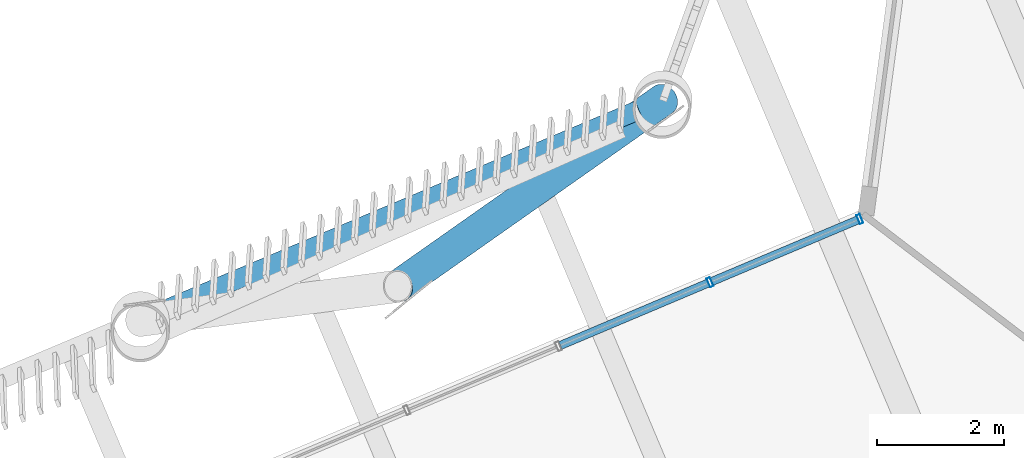
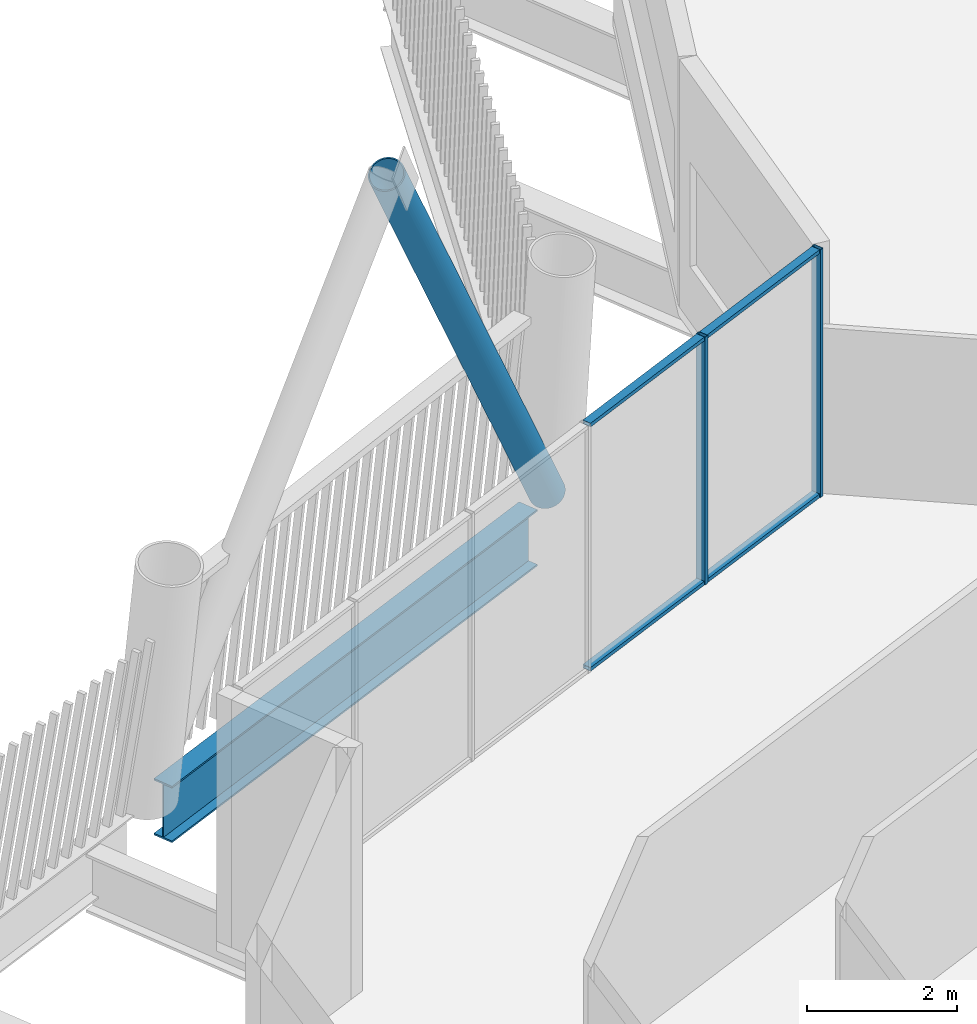
# One storey, part 13 of 35: 7 members, 1 beam, 1 element without a shape of its own.
"""IFC4 building model written with IfcOpenShell, lengths in metres."""

from ifc_helpers import new_model, si_unit, direction, frame, origin, origin_2d, place, context, subcontext, project, spatial, hollow_rectangle, hollow_circle, i_section, extrude, material, layer, layer_set, material_profile, profile_set, type_object, element, aggregate, save


model = new_model("IFC4")

# Units and contexts
model_context = context("Model", 3, precision=1e-05, world=origin(), true_north=direction((0.0, 1.0)))
body_context = subcontext(model_context, "Body", "Model", "MODEL_VIEW")
ifc_project = project(units=[si_unit("LENGTHUNIT", "METRE"), si_unit("AREAUNIT", "SQUARE_METRE"), si_unit("VOLUMEUNIT", "CUBIC_METRE"), si_unit("PLANEANGLEUNIT", "RADIAN"), si_unit("MASSUNIT", "GRAM", prefix="KILO")], contexts=[model_context])

# Site, building, storey
site_placement = place(None, origin())
site = spatial("IfcSite", under=ifc_project, at=site_placement, CompositionType="ELEMENT")
building_placement = place(site_placement, origin())
building = spatial("IfcBuilding", under=site, at=building_placement, Name="Tarsis Ring Headquarters", CompositionType="ELEMENT")
storey_placement = place(building_placement, frame((0.0, 0.0, 377.60009765625)))
storey = spatial("IfcBuildingStorey", under=building, at=storey_placement, Name="L89", CompositionType="ELEMENT", Elevation=377.60009765625)

# Curtain wall, members
ifc_material_1 = material(Name="Aluminium curtain wall", Category="aluminium")
ifc_layer = layer(ifc_material_1, 0.14990234375)
ifc_layer_set = layer_set([ifc_layer], Name="Curtain wall tower unit")
curtain_wall_type = type_object("IfcCurtainWallType", Name="Curtain wall tower unit", PredefinedType="NOTDEFINED", material=ifc_layer_set)
curtain_wall_placement = place(storey_placement, origin())
curtain_wall = element("IfcCurtainWall", 1, at=curtain_wall_placement, inside=storey, type_object=curtain_wall_type, Name="Curtain wall L89-31", PredefinedType="NOTDEFINED")
ifc_material_2 = material(Name="Aluminium mullion", Category="aluminium")
ifc_material_profile_1 = material_profile(ifc_material_2, hollow_rectangle(XDim=0.14990234375, YDim=0.06005859375, WallThickness=0.0048828125, at=origin_2d()), Name="RHS 150x60x5")
ifc_profile_set_1 = profile_set([ifc_material_profile_1], Name="Aluminium mullion")
member_type_1 = type_object("IfcMemberType", Name="Curtain wall mullion tower unit RHS 150x60x5", PredefinedType="MULLION", material=ifc_profile_set_1)
member_1_placement = place(storey_placement, frame((-25.695556640625, 2.04541015625, 0.0), z_axis=(0.0, 0.0, 1.0), x_axis=(0.388802460899, -0.921321141838, 0.0)))
member_1 = element("IfcMember", 2, at=member_1_placement, type_object=member_type_1, Name="CW-T mullion 1", PredefinedType="MULLION", context=body_context, shape_type="SweptSolid", body=[
    extrude(hollow_rectangle(XDim=0.14990234375, YDim=0.06005859375, WallThickness=0.0048828125, at=origin_2d()), origin(), (0.0, 0.0, 1.0), 4.039794921875),
])
member_2_placement = place(storey_placement, frame((-28.045166015625, 1.053955078125, 0.0), z_axis=(0.0, 0.0, 1.0), x_axis=(0.388802460899, -0.921321141838, 0.0)))
member_2 = element("IfcMember", 3, at=member_2_placement, type_object=member_type_1, Name="CW-T mullion 2", PredefinedType="MULLION", context=body_context, shape_type="SweptSolid", body=[
    extrude(hollow_rectangle(XDim=0.14990234375, YDim=0.06005859375, WallThickness=0.0048828125, at=origin_2d()), origin(), (0.0, 0.0, 1.0), 4.039794921875),
])
ifc_material_3 = material(Name="Aluminium transom", Category="aluminium")
ifc_material_profile_2 = material_profile(ifc_material_3, hollow_rectangle(XDim=0.1298828125, YDim=0.06005859375, WallThickness=0.0048828125, at=origin_2d()), Name="RHS 130x60x5")
ifc_profile_set_2 = profile_set([ifc_material_profile_2], Name="Aluminium transom")
member_type_2 = type_object("IfcMemberType", Name="Curtain wall transom tower unit RHS 130x60x5", PredefinedType="USERDEFINED", material=ifc_profile_set_2)
member_3_placement = place(storey_placement, frame((-25.723388671875, 2.03369140625, 0.02978515625), z_axis=(-0.921306544448, -0.38883704962, 0.0), x_axis=(0.38883704962, -0.921306544448, 0.0)))
member_3 = element("IfcMember", 4, at=member_3_placement, type_object=member_type_2, Name="CW-T transom 1.1", ObjectType="TRANSOM", PredefinedType="USERDEFINED", context=body_context, shape_type="SweptSolid", body=[
    extrude(hollow_rectangle(XDim=0.1298828125, YDim=0.06005859375, WallThickness=0.0048828125, at=origin_2d()), origin(), (0.0, 0.0, 1.0), 2.490234375),
])
member_4_placement = place(storey_placement, frame((-25.723388671875, 2.03369140625, 4.010009765625), z_axis=(-0.921306544448, -0.38883704962, 0.0), x_axis=(0.38883704962, -0.921306544448, 0.0)))
member_4 = element("IfcMember", 5, at=member_4_placement, type_object=member_type_2, Name="CW-T transom 1.2", ObjectType="TRANSOM", PredefinedType="USERDEFINED", context=body_context, shape_type="SweptSolid", body=[
    extrude(hollow_rectangle(XDim=0.1298828125, YDim=0.06005859375, WallThickness=0.0048828125, at=origin_2d()), origin(), (0.0, 0.0, 1.0), 2.490234375),
])
member_5_placement = place(storey_placement, frame((-28.072998046875, 1.042236328125, 0.02978515625), z_axis=(-0.921295841246, -0.388862408703, 0.0), x_axis=(0.388862408703, -0.921295841246, 0.0)))
member_5 = element("IfcMember", 6, at=member_5_placement, type_object=member_type_2, Name="CW-T transom 2.1", ObjectType="TRANSOM", PredefinedType="USERDEFINED", context=body_context, shape_type="SweptSolid", body=[
    extrude(hollow_rectangle(XDim=0.1298828125, YDim=0.06005859375, WallThickness=0.0048828125, at=origin_2d()), origin(), (0.0, 0.0, 1.0), 2.52001953125),
])
member_6_placement = place(storey_placement, frame((-28.072998046875, 1.042236328125, 4.010009765625), z_axis=(-0.921295841246, -0.388862408703, 0.0), x_axis=(0.388862408703, -0.921295841246, 0.0)))
member_6 = element("IfcMember", 7, at=member_6_placement, type_object=member_type_2, Name="CW-T transom 2.2", ObjectType="TRANSOM", PredefinedType="USERDEFINED", context=body_context, shape_type="SweptSolid", body=[
    extrude(hollow_rectangle(XDim=0.1298828125, YDim=0.06005859375, WallThickness=0.0048828125, at=origin_2d()), origin(), (0.0, 0.0, 1.0), 2.52001953125),
])
aggregate(curtain_wall, [member_1, member_2, member_3, member_4, member_5, member_6])

# Member
ifc_material_4 = material(Name="Structural steel S355", Category="steel")
ifc_material_profile_3 = material_profile(ifc_material_4, hollow_circle(Radius=0.25390625, WallThickness=0.02001953125, at=origin_2d()), Name="CHS 508x20")
ifc_profile_set_3 = profile_set([ifc_material_profile_3], Name="Structural steel S355")
member_type_3 = type_object("IfcMemberType", Name="XD X brace CHS 508x20", PredefinedType="BRACE", material=ifc_profile_set_3)
member_7_placement = place(storey_placement, frame((-28.783203125, 3.917236328125, 0.0), z_axis=(-0.423537147233, -0.297947964969, 0.855478401296), x_axis=(0.575368515379, -0.817894291159, 0.0)))
element("IfcMember", 8, at=member_7_placement, inside=storey, type_object=member_type_3, Name="X brace XD2", PredefinedType="BRACE", context=body_context, shape_type="SweptSolid", body=[
    extrude(hollow_circle(Radius=0.25390625, WallThickness=0.02001953125, at=origin_2d()), origin(), (0.0, 0.0, 1.0), 9.81884765625),
])

# Beam
ifc_material_profile_4 = material_profile(ifc_material_4, i_section(OverallWidth=0.3046875, OverallDepth=0.91943359375, WebThickness=0.017333984375, FlangeThickness=0.02783203125, at=origin_2d()), Name="W36x170")
ifc_profile_set_4 = profile_set([ifc_material_profile_4], Name="Structural steel S355")
beam_type = type_object("IfcBeamType", Name="XG Ring girder W36x170", PredefinedType="BEAM", material=ifc_profile_set_4)
beam_placement = place(storey_placement, frame((-29.162353515625, 3.75732421875, -0.4599609375), z_axis=(-0.92131596168, -0.388814735772, 0.0), x_axis=(0.388814735772, -0.92131596168, 0.0)))
element("IfcBeam", 9, at=beam_placement, inside=storey, type_object=beam_type, Name="Ring girder XG4", PredefinedType="BEAM", context=body_context, shape_type="SweptSolid", body=[
    extrude(i_section(OverallWidth=0.3046875, OverallDepth=0.91943359375, WebThickness=0.017333984375, FlangeThickness=0.02783203125, at=origin_2d()), origin(), (0.0, 0.0, 1.0), 8.079345703125),
])

save(model, "model.ifc")
